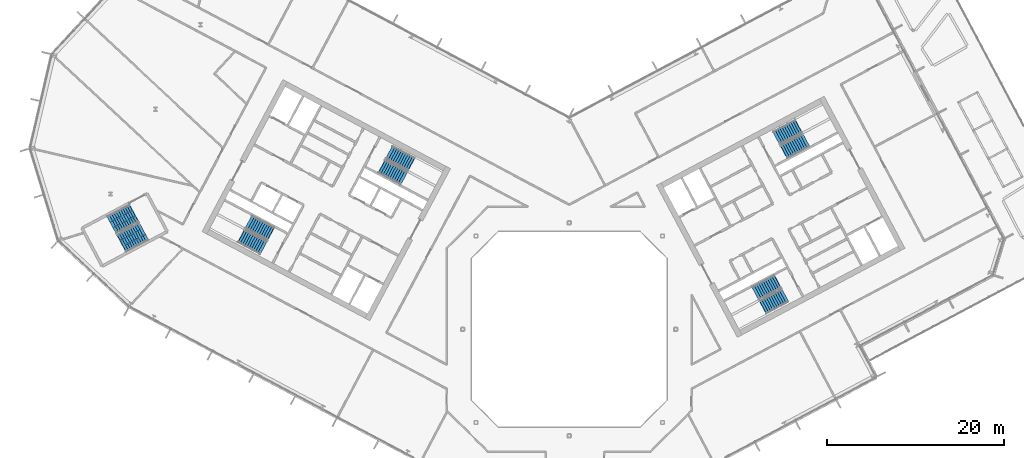
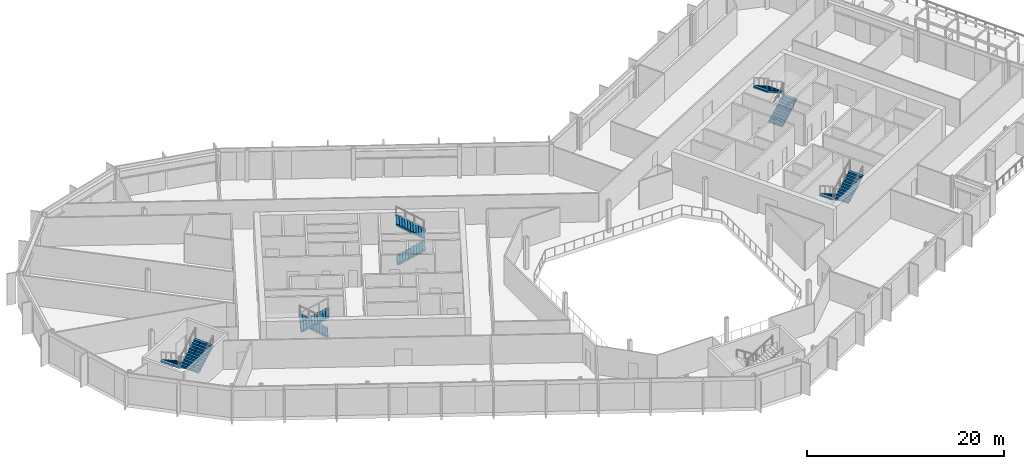
# One storey, part 21 of 31: 10 stair flights, 5 elements without a shape of their own.
"""IFC4 building model written with IfcOpenShell, lengths in metres."""

from ifc_helpers import new_model, si_unit, direction, frame, origin, place, context, subcontext, project, spatial, polyline, outline, extrude, material, type_object, element, aggregate, save


model = new_model("IFC4")

# Units and contexts
model_context = context("Model", 3, precision=1e-05, world=origin(), true_north=direction((0.0, 1.0)))
body_context = subcontext(model_context, "Body", "Model", "MODEL_VIEW")
ifc_project = project(units=[si_unit("LENGTHUNIT", "METRE"), si_unit("AREAUNIT", "SQUARE_METRE"), si_unit("VOLUMEUNIT", "CUBIC_METRE"), si_unit("PLANEANGLEUNIT", "RADIAN"), si_unit("MASSUNIT", "GRAM", prefix="KILO")], contexts=[model_context])

# Site, building, storey
site_placement = place(None, origin())
site = spatial("IfcSite", under=ifc_project, at=site_placement, CompositionType="ELEMENT")
building_placement = place(site_placement, origin())
building = spatial("IfcBuilding", under=site, at=building_placement, Name="Cormorant Relay Tower", CompositionType="ELEMENT")
storey_placement = place(building_placement, frame((0.0, 0.0, 189.60009765625)))
storey = spatial("IfcBuildingStorey", under=building, at=storey_placement, Name="L40", CompositionType="ELEMENT", Elevation=189.60009765625)

# Stair, stair flights
ifc_material_1 = material(Name="Concrete 40 MPa", Category="concrete")
stair_type_1 = type_object("IfcStairType", Name="Exit stair 1500", PredefinedType="HALF_TURN_STAIR", material=ifc_material_1)
stair_1_placement = place(storey_placement, origin())
stair_1 = element("IfcStair", 1, at=stair_1_placement, inside=storey, type_object=stair_type_1, Name="L40 Stair", PredefinedType="HALF_TURN_STAIR")
ifc_material_2 = material(Name="Concrete 40 MPa", Category="concrete")
stair_flight_type_1 = type_object("IfcStairFlightType", Name="Exit stair flight 1650", PredefinedType="STRAIGHT", material=ifc_material_2)
stair_flight_1_placement = place(storey_placement, frame((-21.114501953125, 18.33349609375, 0.0), z_axis=(0.0, 0.0, 1.0), x_axis=(0.882947592859, -0.469471562786, 0.0)))
stair_flight_1 = element("IfcStairFlight", 2, at=stair_flight_1_placement, type_object=stair_flight_type_1, Name="A1 flight 1", NumberOfRisers=11, NumberOfTreads=10, PredefinedType="STRAIGHT", RiserHeight=0.177272727, TreadLength=0.28, context=body_context, shape_type="SweptSolid", body=[
    extrude(outline(polyline([(-0.050048828125, -0.080078125), (-0.050048828125, 0.0), (0.0, 0.0), (0.0, 0.17724609375), (0.280029296875, 0.17724609375), (0.280029296875, 0.3544921875), (0.56005859375, 0.3544921875), (0.56005859375, 0.53173828125), (0.840087890625, 0.53173828125), (0.840087890625, 0.708984375), (1.1201171875, 0.708984375), (1.1201171875, 0.886474609375), (1.39990234375, 0.886474609375), (1.39990234375, 1.063720703125), (1.679931640625, 1.063720703125), (1.679931640625, 1.240966796875), (1.9599609375, 1.240966796875), (1.9599609375, 1.418212890625), (2.239990234375, 1.418212890625), (2.239990234375, 1.595458984375), (2.52001953125, 1.595458984375), (2.52001953125, 1.772705078125), (2.800048828125, 1.772705078125), (2.85009765625, 1.772705078125), (2.85009765625, 1.59521484375), (2.800048828125, 1.59521484375), (0.2802734375, 0.0), (-0.050048828125, -0.080078125)])), frame((0.0, 0.824951171875, 0.0), z_axis=(0.0, -1.0, 0.0), x_axis=(1.0, 0.0, 0.0)), (0.0, 0.0, 1.0), 1.64990234375),
])
stair_flight_2_placement = place(storey_placement, frame((-17.797119140625, 18.6083984375, 1.949951171875), z_axis=(0.0, 0.0, 1.0), x_axis=(-0.882947592859, 0.469471562786, 0.0)))
stair_flight_2 = element("IfcStairFlight", 3, at=stair_flight_2_placement, type_object=stair_flight_type_1, Name="A1 flight 2", NumberOfRisers=11, NumberOfTreads=10, PredefinedType="STRAIGHT", RiserHeight=0.177272727, TreadLength=0.28, context=body_context, shape_type="SweptSolid", body=[
    extrude(outline(polyline([(-0.050048828125, -0.080078125), (-0.050048828125, 0.0), (0.0, 0.0), (0.0, 0.17724609375), (0.280029296875, 0.17724609375), (0.280029296875, 0.3544921875), (0.56005859375, 0.3544921875), (0.56005859375, 0.53173828125), (0.840087890625, 0.53173828125), (0.840087890625, 0.708984375), (1.1201171875, 0.708984375), (1.1201171875, 0.886474609375), (1.39990234375, 0.886474609375), (1.39990234375, 1.063720703125), (1.679931640625, 1.063720703125), (1.679931640625, 1.240966796875), (1.9599609375, 1.240966796875), (1.9599609375, 1.418212890625), (2.239990234375, 1.418212890625), (2.239990234375, 1.595458984375), (2.52001953125, 1.595458984375), (2.52001953125, 1.772705078125), (2.800048828125, 1.772705078125), (2.85009765625, 1.772705078125), (2.85009765625, 1.59521484375), (2.800048828125, 1.59521484375), (0.2802734375, 0.0), (-0.050048828125, -0.080078125)])), frame((0.0, 0.824951171875, 0.0), z_axis=(0.0, -1.0, 0.0), x_axis=(1.0, 0.0, 0.0)), (0.0, 0.0, 1.0), 1.64990234375),
])
aggregate(stair_1, [stair_flight_1, stair_flight_2])

stair_2_placement = place(storey_placement, origin())
stair_2 = element("IfcStair", 4, at=stair_2_placement, inside=storey, type_object=stair_type_1, Name="L40 Stair", PredefinedType="HALF_TURN_STAIR")
stair_flight_3_placement = place(storey_placement, frame((-33.62841796875, 10.773681640625, 0.0), z_axis=(0.0, 0.0, 1.0), x_axis=(-0.882947592859, 0.469471562786, 0.0)))
stair_flight_3 = element("IfcStairFlight", 5, at=stair_flight_3_placement, type_object=stair_flight_type_1, Name="A2 flight 1", NumberOfRisers=11, NumberOfTreads=10, PredefinedType="STRAIGHT", RiserHeight=0.177272727, TreadLength=0.28, context=body_context, shape_type="SweptSolid", body=[
    extrude(outline(polyline([(-0.050048828125, -0.080078125), (-0.050048828125, 0.0), (0.0, 0.0), (0.0, 0.17724609375), (0.280029296875, 0.17724609375), (0.280029296875, 0.3544921875), (0.56005859375, 0.3544921875), (0.56005859375, 0.53173828125), (0.840087890625, 0.53173828125), (0.840087890625, 0.708984375), (1.1201171875, 0.708984375), (1.1201171875, 0.886474609375), (1.39990234375, 0.886474609375), (1.39990234375, 1.063720703125), (1.679931640625, 1.063720703125), (1.679931640625, 1.240966796875), (1.9599609375, 1.240966796875), (1.9599609375, 1.418212890625), (2.239990234375, 1.418212890625), (2.239990234375, 1.595458984375), (2.52001953125, 1.595458984375), (2.52001953125, 1.772705078125), (2.800048828125, 1.772705078125), (2.85009765625, 1.772705078125), (2.85009765625, 1.59521484375), (2.800048828125, 1.59521484375), (0.2802734375, 0.0), (-0.050048828125, -0.080078125)])), frame((0.0, 0.824951171875, 0.0), z_axis=(0.0, -1.0, 0.0), x_axis=(1.0, 0.0, 0.0)), (0.0, 0.0, 1.0), 1.64990234375),
])
stair_flight_4_placement = place(storey_placement, frame((-36.945556640625, 10.498779296875, 1.949951171875), z_axis=(0.0, 0.0, 1.0), x_axis=(0.882947592859, -0.469471562786, 0.0)))
stair_flight_4 = element("IfcStairFlight", 6, at=stair_flight_4_placement, type_object=stair_flight_type_1, Name="A2 flight 2", NumberOfRisers=11, NumberOfTreads=10, PredefinedType="STRAIGHT", RiserHeight=0.177272727, TreadLength=0.28, context=body_context, shape_type="SweptSolid", body=[
    extrude(outline(polyline([(-0.050048828125, -0.080078125), (-0.050048828125, 0.0), (0.0, 0.0), (0.0, 0.17724609375), (0.280029296875, 0.17724609375), (0.280029296875, 0.3544921875), (0.56005859375, 0.3544921875), (0.56005859375, 0.53173828125), (0.840087890625, 0.53173828125), (0.840087890625, 0.708984375), (1.1201171875, 0.708984375), (1.1201171875, 0.886474609375), (1.39990234375, 0.886474609375), (1.39990234375, 1.063720703125), (1.679931640625, 1.063720703125), (1.679931640625, 1.240966796875), (1.9599609375, 1.240966796875), (1.9599609375, 1.418212890625), (2.239990234375, 1.418212890625), (2.239990234375, 1.595458984375), (2.52001953125, 1.595458984375), (2.52001953125, 1.772705078125), (2.800048828125, 1.772705078125), (2.85009765625, 1.772705078125), (2.85009765625, 1.59521484375), (2.800048828125, 1.59521484375), (0.2802734375, 0.0), (-0.050048828125, -0.080078125)])), frame((0.0, 0.824951171875, 0.0), z_axis=(0.0, -1.0, 0.0), x_axis=(1.0, 0.0, 0.0)), (0.0, 0.0, 1.0), 1.64990234375),
])
aggregate(stair_2, [stair_flight_3, stair_flight_4])

stair_3_placement = place(storey_placement, origin())
stair_3 = element("IfcStair", 7, at=stair_3_placement, inside=storey, type_object=stair_type_1, Name="L40 Stair", PredefinedType="HALF_TURN_STAIR")
stair_flight_5_placement = place(storey_placement, frame((23.474365234375, 5.374755859375, 0.0), z_axis=(0.0, 0.0, 1.0), x_axis=(-0.882947592859, -0.469471562786, 0.0)))
stair_flight_5 = element("IfcStairFlight", 8, at=stair_flight_5_placement, type_object=stair_flight_type_1, Name="B1 flight 1", NumberOfRisers=11, NumberOfTreads=10, PredefinedType="STRAIGHT", RiserHeight=0.177272727, TreadLength=0.28, context=body_context, shape_type="SweptSolid", body=[
    extrude(outline(polyline([(-0.050048828125, -0.080078125), (-0.050048828125, 0.0), (0.0, 0.0), (0.0, 0.17724609375), (0.280029296875, 0.17724609375), (0.280029296875, 0.3544921875), (0.56005859375, 0.3544921875), (0.56005859375, 0.53173828125), (0.840087890625, 0.53173828125), (0.840087890625, 0.708984375), (1.1201171875, 0.708984375), (1.1201171875, 0.886474609375), (1.39990234375, 0.886474609375), (1.39990234375, 1.063720703125), (1.679931640625, 1.063720703125), (1.679931640625, 1.240966796875), (1.9599609375, 1.240966796875), (1.9599609375, 1.418212890625), (2.239990234375, 1.418212890625), (2.239990234375, 1.595458984375), (2.52001953125, 1.595458984375), (2.52001953125, 1.772705078125), (2.800048828125, 1.772705078125), (2.85009765625, 1.772705078125), (2.85009765625, 1.59521484375), (2.800048828125, 1.59521484375), (0.2802734375, 0.0), (-0.050048828125, -0.080078125)])), frame((0.0, 0.824951171875, 0.0), z_axis=(0.0, -1.0, 0.0), x_axis=(1.0, 0.0, 0.0)), (0.0, 0.0, 1.0), 1.64990234375),
])
stair_flight_6_placement = place(storey_placement, frame((21.84716796875, 2.470947265625, 1.949951171875), z_axis=(0.0, 0.0, 1.0), x_axis=(0.882947592859, 0.469471562786, 0.0)))
stair_flight_6 = element("IfcStairFlight", 9, at=stair_flight_6_placement, type_object=stair_flight_type_1, Name="B1 flight 2", NumberOfRisers=11, NumberOfTreads=10, PredefinedType="STRAIGHT", RiserHeight=0.177272727, TreadLength=0.28, context=body_context, shape_type="SweptSolid", body=[
    extrude(outline(polyline([(-0.050048828125, -0.080078125), (-0.050048828125, 0.0), (0.0, 0.0), (0.0, 0.17724609375), (0.280029296875, 0.17724609375), (0.280029296875, 0.3544921875), (0.56005859375, 0.3544921875), (0.56005859375, 0.53173828125), (0.840087890625, 0.53173828125), (0.840087890625, 0.708984375), (1.1201171875, 0.708984375), (1.1201171875, 0.886474609375), (1.39990234375, 0.886474609375), (1.39990234375, 1.063720703125), (1.679931640625, 1.063720703125), (1.679931640625, 1.240966796875), (1.9599609375, 1.240966796875), (1.9599609375, 1.418212890625), (2.239990234375, 1.418212890625), (2.239990234375, 1.595458984375), (2.52001953125, 1.595458984375), (2.52001953125, 1.772705078125), (2.800048828125, 1.772705078125), (2.85009765625, 1.772705078125), (2.85009765625, 1.59521484375), (2.800048828125, 1.59521484375), (0.2802734375, 0.0), (-0.050048828125, -0.080078125)])), frame((0.0, 0.824951171875, 0.0), z_axis=(0.0, -1.0, 0.0), x_axis=(1.0, 0.0, 0.0)), (0.0, 0.0, 1.0), 1.64990234375),
])
aggregate(stair_3, [stair_flight_5, stair_flight_6])

stair_4_placement = place(storey_placement, origin())
stair_4 = element("IfcStair", 10, at=stair_4_placement, inside=storey, type_object=stair_type_1, Name="L40 Stair", PredefinedType="HALF_TURN_STAIR")
stair_flight_7_placement = place(storey_placement, frame((24.20458984375, 19.976806640625, 0.0), z_axis=(0.0, 0.0, 1.0), x_axis=(0.882947592859, 0.469471562786, 0.0)))
stair_flight_7 = element("IfcStairFlight", 11, at=stair_flight_7_placement, type_object=stair_flight_type_1, Name="B2 flight 1", NumberOfRisers=11, NumberOfTreads=10, PredefinedType="STRAIGHT", RiserHeight=0.177272727, TreadLength=0.28, context=body_context, shape_type="SweptSolid", body=[
    extrude(outline(polyline([(-0.050048828125, -0.080078125), (-0.050048828125, 0.0), (0.0, 0.0), (0.0, 0.17724609375), (0.280029296875, 0.17724609375), (0.280029296875, 0.3544921875), (0.56005859375, 0.3544921875), (0.56005859375, 0.53173828125), (0.840087890625, 0.53173828125), (0.840087890625, 0.708984375), (1.1201171875, 0.708984375), (1.1201171875, 0.886474609375), (1.39990234375, 0.886474609375), (1.39990234375, 1.063720703125), (1.679931640625, 1.063720703125), (1.679931640625, 1.240966796875), (1.9599609375, 1.240966796875), (1.9599609375, 1.418212890625), (2.239990234375, 1.418212890625), (2.239990234375, 1.595458984375), (2.52001953125, 1.595458984375), (2.52001953125, 1.772705078125), (2.800048828125, 1.772705078125), (2.85009765625, 1.772705078125), (2.85009765625, 1.59521484375), (2.800048828125, 1.59521484375), (0.2802734375, 0.0), (-0.050048828125, -0.080078125)])), frame((0.0, 0.824951171875, 0.0), z_axis=(0.0, -1.0, 0.0), x_axis=(1.0, 0.0, 0.0)), (0.0, 0.0, 1.0), 1.64990234375),
])
stair_flight_8_placement = place(storey_placement, frame((25.831787109375, 22.880615234375, 1.949951171875), z_axis=(0.0, 0.0, 1.0), x_axis=(-0.882947592859, -0.469471562786, 0.0)))
stair_flight_8 = element("IfcStairFlight", 12, at=stair_flight_8_placement, type_object=stair_flight_type_1, Name="B2 flight 2", NumberOfRisers=11, NumberOfTreads=10, PredefinedType="STRAIGHT", RiserHeight=0.177272727, TreadLength=0.28, context=body_context, shape_type="SweptSolid", body=[
    extrude(outline(polyline([(-0.050048828125, -0.080078125), (-0.050048828125, 0.0), (0.0, 0.0), (0.0, 0.17724609375), (0.280029296875, 0.17724609375), (0.280029296875, 0.3544921875), (0.56005859375, 0.3544921875), (0.56005859375, 0.53173828125), (0.840087890625, 0.53173828125), (0.840087890625, 0.708984375), (1.1201171875, 0.708984375), (1.1201171875, 0.886474609375), (1.39990234375, 0.886474609375), (1.39990234375, 1.063720703125), (1.679931640625, 1.063720703125), (1.679931640625, 1.240966796875), (1.9599609375, 1.240966796875), (1.9599609375, 1.418212890625), (2.239990234375, 1.418212890625), (2.239990234375, 1.595458984375), (2.52001953125, 1.595458984375), (2.52001953125, 1.772705078125), (2.800048828125, 1.772705078125), (2.85009765625, 1.772705078125), (2.85009765625, 1.59521484375), (2.800048828125, 1.59521484375), (0.2802734375, 0.0), (-0.050048828125, -0.080078125)])), frame((0.0, 0.824951171875, 0.0), z_axis=(0.0, -1.0, 0.0), x_axis=(1.0, 0.0, 0.0)), (0.0, 0.0, 1.0), 1.64990234375),
])
aggregate(stair_4, [stair_flight_7, stair_flight_8])

ifc_material_3 = material(Name="Concrete 40 MPa", Category="concrete")
stair_type_2 = type_object("IfcStairType", Name="Remote exit stair 2200", PredefinedType="HALF_TURN_STAIR", material=ifc_material_3)
stair_5_placement = place(storey_placement, origin())
stair_5 = element("IfcStair", 13, at=stair_5_placement, inside=storey, type_object=stair_type_2, Name="L40 Stair", PredefinedType="HALF_TURN_STAIR")
ifc_material_4 = material(Name="Concrete 40 MPa", Category="concrete")
stair_flight_type_2 = type_object("IfcStairFlightType", Name="Remote exit stair flight 2200", PredefinedType="STRAIGHT", material=ifc_material_4)
stair_flight_9_placement = place(storey_placement, frame((-49.062255859375, 13.08251953125, 0.0), z_axis=(0.0, 0.0, 1.0), x_axis=(-0.882947502727, -0.4694717323, 0.0)))
stair_flight_9 = element("IfcStairFlight", 14, at=stair_flight_9_placement, type_object=stair_flight_type_2, Name="RP1 flight 1", NumberOfRisers=11, NumberOfTreads=10, PredefinedType="STRAIGHT", RiserHeight=0.177272727, TreadLength=0.28, context=body_context, shape_type="SweptSolid", body=[
    extrude(outline(polyline([(-0.050048828125, -0.080078125), (-0.050048828125, 0.0), (0.0, 0.0), (0.0, 0.17724609375), (0.280029296875, 0.17724609375), (0.280029296875, 0.3544921875), (0.56005859375, 0.3544921875), (0.56005859375, 0.53173828125), (0.840087890625, 0.53173828125), (0.840087890625, 0.708984375), (1.1201171875, 0.708984375), (1.1201171875, 0.886474609375), (1.39990234375, 0.886474609375), (1.39990234375, 1.063720703125), (1.679931640625, 1.063720703125), (1.679931640625, 1.240966796875), (1.9599609375, 1.240966796875), (1.9599609375, 1.418212890625), (2.239990234375, 1.418212890625), (2.239990234375, 1.595458984375), (2.52001953125, 1.595458984375), (2.52001953125, 1.772705078125), (2.800048828125, 1.772705078125), (2.85009765625, 1.772705078125), (2.85009765625, 1.59521484375), (2.800048828125, 1.59521484375), (0.2802734375, 0.0), (-0.050048828125, -0.080078125)])), frame((0.0, 1.10009765625, 0.0), z_axis=(0.0, -1.0, 0.0), x_axis=(1.0, 0.0, 0.0)), (0.0, 0.0, 1.0), 0.719970703125),
    extrude(outline(polyline([(-0.050048828125, -0.080078125), (-0.050048828125, 0.0), (0.0, 0.0), (0.0, 0.17724609375), (0.280029296875, 0.17724609375), (0.280029296875, 0.3544921875), (0.56005859375, 0.3544921875), (0.56005859375, 0.53173828125), (0.840087890625, 0.53173828125), (0.840087890625, 0.708984375), (1.1201171875, 0.708984375), (1.1201171875, 0.886474609375), (1.39990234375, 0.886474609375), (1.39990234375, 1.063720703125), (1.679931640625, 1.063720703125), (1.679931640625, 1.240966796875), (1.9599609375, 1.240966796875), (1.9599609375, 1.418212890625), (2.239990234375, 1.418212890625), (2.239990234375, 1.595458984375), (2.52001953125, 1.595458984375), (2.52001953125, 1.772705078125), (2.800048828125, 1.772705078125), (2.85009765625, 1.772705078125), (2.85009765625, 1.59521484375), (2.800048828125, 1.59521484375), (0.2802734375, 0.0), (-0.050048828125, -0.080078125)])), frame((0.0, 0.360107421875, 0.0), z_axis=(0.0, -1.0, 0.0), x_axis=(1.0, 0.0, 0.0)), (0.0, 0.0, 1.0), 0.719970703125),
    extrude(outline(polyline([(-0.050048828125, -0.080078125), (-0.050048828125, 0.0), (0.0, 0.0), (0.0, 0.17724609375), (0.280029296875, 0.17724609375), (0.280029296875, 0.3544921875), (0.56005859375, 0.3544921875), (0.56005859375, 0.53173828125), (0.840087890625, 0.53173828125), (0.840087890625, 0.708984375), (1.1201171875, 0.708984375), (1.1201171875, 0.886474609375), (1.39990234375, 0.886474609375), (1.39990234375, 1.063720703125), (1.679931640625, 1.063720703125), (1.679931640625, 1.240966796875), (1.9599609375, 1.240966796875), (1.9599609375, 1.418212890625), (2.239990234375, 1.418212890625), (2.239990234375, 1.595458984375), (2.52001953125, 1.595458984375), (2.52001953125, 1.772705078125), (2.800048828125, 1.772705078125), (2.85009765625, 1.772705078125), (2.85009765625, 1.59521484375), (2.800048828125, 1.59521484375), (0.2802734375, 0.0), (-0.050048828125, -0.080078125)])), frame((0.0, -0.3798828125, 0.0), z_axis=(0.0, -1.0, 0.0), x_axis=(1.0, 0.0, 0.0)), (0.0, 0.0, 1.0), 0.719970703125),
])
stair_flight_10_placement = place(storey_placement, frame((-50.431396484375, 9.693115234375, 1.949951171875), z_axis=(0.0, 0.0, 1.0), x_axis=(0.882947502727, 0.4694717323, 0.0)))
stair_flight_10 = element("IfcStairFlight", 15, at=stair_flight_10_placement, type_object=stair_flight_type_2, Name="RP1 flight 2", NumberOfRisers=11, NumberOfTreads=10, PredefinedType="STRAIGHT", RiserHeight=0.177272727, TreadLength=0.28, context=body_context, shape_type="SweptSolid", body=[
    extrude(outline(polyline([(-0.050048828125, -0.080078125), (-0.050048828125, 0.0), (0.0, 0.0), (0.0, 0.17724609375), (0.280029296875, 0.17724609375), (0.280029296875, 0.3544921875), (0.56005859375, 0.3544921875), (0.56005859375, 0.53173828125), (0.840087890625, 0.53173828125), (0.840087890625, 0.708984375), (1.1201171875, 0.708984375), (1.1201171875, 0.886474609375), (1.39990234375, 0.886474609375), (1.39990234375, 1.063720703125), (1.679931640625, 1.063720703125), (1.679931640625, 1.240966796875), (1.9599609375, 1.240966796875), (1.9599609375, 1.418212890625), (2.239990234375, 1.418212890625), (2.239990234375, 1.595458984375), (2.52001953125, 1.595458984375), (2.52001953125, 1.772705078125), (2.800048828125, 1.772705078125), (2.85009765625, 1.772705078125), (2.85009765625, 1.59521484375), (2.800048828125, 1.59521484375), (0.2802734375, 0.0), (-0.050048828125, -0.080078125)])), frame((0.0, 1.10009765625, 0.0), z_axis=(0.0, -1.0, 0.0), x_axis=(1.0, 0.0, 0.0)), (0.0, 0.0, 1.0), 0.719970703125),
    extrude(outline(polyline([(-0.050048828125, -0.080078125), (-0.050048828125, 0.0), (0.0, 0.0), (0.0, 0.17724609375), (0.280029296875, 0.17724609375), (0.280029296875, 0.3544921875), (0.56005859375, 0.3544921875), (0.56005859375, 0.53173828125), (0.840087890625, 0.53173828125), (0.840087890625, 0.708984375), (1.1201171875, 0.708984375), (1.1201171875, 0.886474609375), (1.39990234375, 0.886474609375), (1.39990234375, 1.063720703125), (1.679931640625, 1.063720703125), (1.679931640625, 1.240966796875), (1.9599609375, 1.240966796875), (1.9599609375, 1.418212890625), (2.239990234375, 1.418212890625), (2.239990234375, 1.595458984375), (2.52001953125, 1.595458984375), (2.52001953125, 1.772705078125), (2.800048828125, 1.772705078125), (2.85009765625, 1.772705078125), (2.85009765625, 1.59521484375), (2.800048828125, 1.59521484375), (0.2802734375, 0.0), (-0.050048828125, -0.080078125)])), frame((0.0, 0.360107421875, 0.0), z_axis=(0.0, -1.0, 0.0), x_axis=(1.0, 0.0, 0.0)), (0.0, 0.0, 1.0), 0.719970703125),
    extrude(outline(polyline([(-0.050048828125, -0.080078125), (-0.050048828125, 0.0), (0.0, 0.0), (0.0, 0.17724609375), (0.280029296875, 0.17724609375), (0.280029296875, 0.3544921875), (0.56005859375, 0.3544921875), (0.56005859375, 0.53173828125), (0.840087890625, 0.53173828125), (0.840087890625, 0.708984375), (1.1201171875, 0.708984375), (1.1201171875, 0.886474609375), (1.39990234375, 0.886474609375), (1.39990234375, 1.063720703125), (1.679931640625, 1.063720703125), (1.679931640625, 1.240966796875), (1.9599609375, 1.240966796875), (1.9599609375, 1.418212890625), (2.239990234375, 1.418212890625), (2.239990234375, 1.595458984375), (2.52001953125, 1.595458984375), (2.52001953125, 1.772705078125), (2.800048828125, 1.772705078125), (2.85009765625, 1.772705078125), (2.85009765625, 1.59521484375), (2.800048828125, 1.59521484375), (0.2802734375, 0.0), (-0.050048828125, -0.080078125)])), frame((0.0, -0.3798828125, 0.0), z_axis=(0.0, -1.0, 0.0), x_axis=(1.0, 0.0, 0.0)), (0.0, 0.0, 1.0), 0.719970703125),
])
aggregate(stair_5, [stair_flight_9, stair_flight_10])

save(model, "model.ifc")
